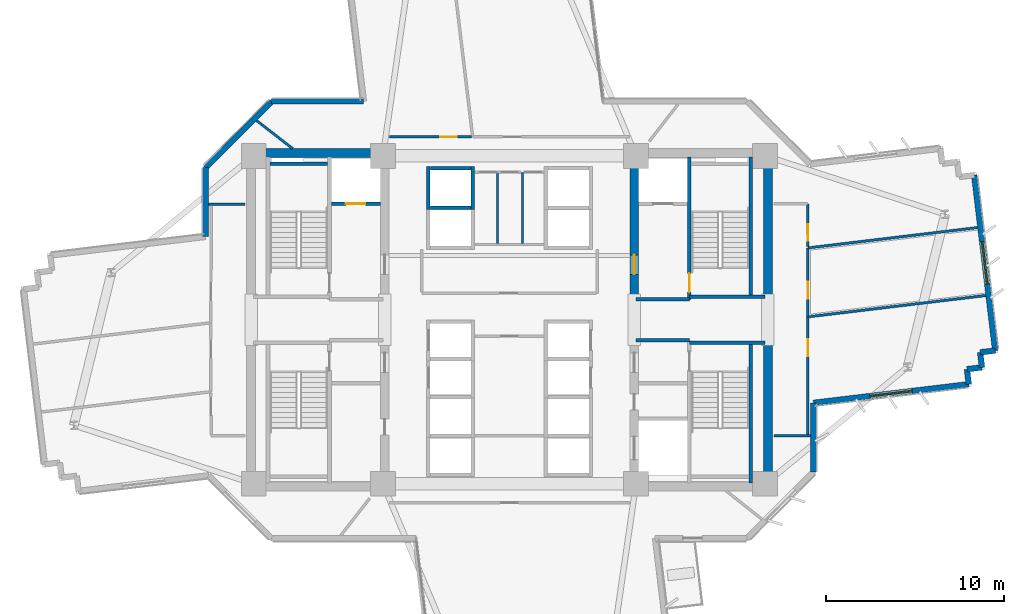
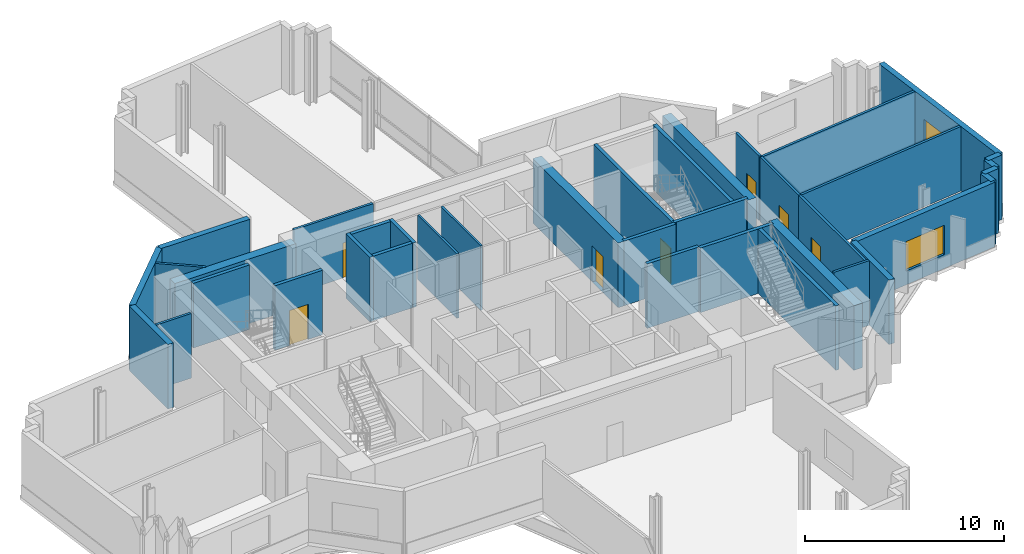
# One storey, part 8 of 15: 38 walls, 7 doors, 2 windows, 9 openings.
"""IFC4 building model written with IfcOpenShell, lengths in metres."""

import ifcopenshell
import ifcopenshell.guid

model = None  # the IFC model being written
_history = None  # IfcOwnerHistory: only IFC2X3 demands one
_inside = {}  # id of a spatial element -> (the spatial element, [elements in it])
_under = {}  # id of a project, library or spatial element -> (it, [spatial elements below it])
_declared = {}  # id of a project -> (the project, [libraries it declares])
_typed = {}  # id of a type object -> (the type object, [elements of that type])
_made_of = {}  # id of a material, layer set ... -> (it, [elements and type objects made of it])


def new_model(schema):
    """Start an empty IFC model of exactly this schema.

    Asked for "IFC4X3", IfcOpenShell would pick the latest addendum, in which some entities
    have other attributes; the version numbers below select the first issue.
    IFC2X3 requires an IfcOwnerHistory on every rooted entity: one is made here for all.
    """
    global model, _history
    if schema == "IFC4X3":
        model = ifcopenshell.file(schema_version=(4, 3, 0, 0))
    else:
        model = ifcopenshell.file(schema=schema)
    _inside.clear()
    _under.clear()
    _declared.clear()
    _typed.clear()
    _made_of.clear()
    _history = None
    if model.schema == "IFC2X3":
        org = make("IfcOrganization", Name="unknown")
        user = make(
            "IfcPersonAndOrganization",
            ThePerson=make("IfcPerson", FamilyName="unknown"),
            TheOrganization=org,
        )
        app = make(
            "IfcApplication",
            ApplicationDeveloper=org,
            Version="unknown",
            ApplicationFullName="unknown",
            ApplicationIdentifier="unknown",
        )
        _history = make(
            "IfcOwnerHistory",
            OwningUser=user,
            OwningApplication=app,
            ChangeAction="ADDED",
            CreationDate=0,
        )
    return model


def make(cls, **values):
    """One entity of the class cls with the attributes given. An attribute that is None is left unset."""
    return model.create_entity(
        cls, **{name: value for name, value in values.items() if value is not None}
    )


def rooted(cls, **values):
    """An entity with a GlobalId (a new one), such as an element, a storey or a relation."""
    return make(cls, GlobalId=ifcopenshell.guid.new(), OwnerHistory=_history, **values)


def si_unit(unit_type, name, prefix=None):
    """IfcSIUnit, for example si_unit("LENGTHUNIT", "METRE", prefix="MILLI")."""
    return make("IfcSIUnit", UnitType=unit_type, Prefix=prefix, Name=name)


def assignment(units):
    """IfcUnitAssignment: the units of a project."""
    return None if units is None else make("IfcUnitAssignment", Units=units)


def point(xyz):
    """IfcCartesianPoint."""
    return None if xyz is None else make("IfcCartesianPoint", Coordinates=xyz)


def direction(xyz):
    """IfcDirection."""
    return None if xyz is None else make("IfcDirection", DirectionRatios=xyz)


def frame(location, z_axis=None, x_axis=None):
    """IfcAxis2Placement3D, a coordinate frame: its origin and axes. An axis left out is left unset."""
    return make(
        "IfcAxis2Placement3D",
        Location=point(location),
        Axis=direction(z_axis),
        RefDirection=direction(x_axis),
    )


def frame_2d(location, x_axis=None):
    """IfcAxis2Placement2D, a coordinate frame in the plane: its origin and x axis."""
    return make(
        "IfcAxis2Placement2D", Location=point(location), RefDirection=direction(x_axis)
    )


def origin():
    """The frame at (0, 0, 0) with its axes left unset."""
    return frame((0.0, 0.0, 0.0))


def place(relative_to, where):
    """IfcLocalPlacement: puts the frame where relative to a parent placement (None: the world)."""
    return make(
        "IfcLocalPlacement", PlacementRelTo=relative_to, RelativePlacement=where
    )


def context(
    kind, dimensions, precision=None, world=None, true_north=None, identifier=None
):
    """IfcGeometricRepresentationContext, for example the 3D "Model" context."""
    return make(
        "IfcGeometricRepresentationContext",
        ContextIdentifier=identifier,
        ContextType=kind,
        CoordinateSpaceDimension=dimensions,
        Precision=precision,
        WorldCoordinateSystem=world,
        TrueNorth=true_north,
    )


def subcontext(parent, identifier, kind, view, scale=None):
    """IfcGeometricRepresentationSubContext, for example "Body" below "Model"."""
    return make(
        "IfcGeometricRepresentationSubContext",
        ContextIdentifier=identifier,
        ContextType=kind,
        ParentContext=parent,
        TargetScale=scale,
        TargetView=view,
    )


def project(units=None, contexts=None):
    """IfcProject with its units and contexts."""
    return rooted(
        "IfcProject",
        Name="project",
        RepresentationContexts=contexts,
        UnitsInContext=assignment(units),
    )


def spatial(cls, under=None, at=None, **own):
    """A site, building, storey or space (cls), placed at a placement, below another one or the project."""
    s = rooted(cls, ObjectPlacement=at, **own)
    if under is not None:
        _under.setdefault(under.id(), (under, []))[1].append(s)
    return s


def profile(cls, at=None, kind="AREA", **sizes):
    """A parametric profile (cls). Its sizes go by their IFC names, for example OverallWidth=200.0."""
    return make(cls, ProfileType=kind, Position=at, **sizes)


def rectangle(**sizes):
    """IfcRectangleProfileDef."""
    return profile("IfcRectangleProfileDef", **sizes)


def extrude(swept, where, along, depth):
    """IfcExtrudedAreaSolid: the profile swept, set in the frame where, extruded along a direction by depth."""
    return make(
        "IfcExtrudedAreaSolid",
        SweptArea=swept,
        Position=where,
        ExtrudedDirection=direction(along),
        Depth=depth,
    )


def shape(context_of_items, identifier, shape_type, items):
    """IfcShapeRepresentation: the items that make up one representation, for example the "Body"."""
    return make(
        "IfcShapeRepresentation",
        ContextOfItems=context_of_items,
        RepresentationIdentifier=identifier,
        RepresentationType=shape_type,
        Items=items,
    )


def source(mapping_origin, context_of_items, identifier, shape_type, items):
    """IfcRepresentationMap: a shape defined once, which mapped items show again and again."""
    return make(
        "IfcRepresentationMap",
        MappingOrigin=mapping_origin,
        MappedRepresentation=shape(context_of_items, identifier, shape_type, items),
    )


def transform(
    local_origin,
    x_axis=None,
    y_axis=None,
    z_axis=None,
    scale=None,
    scale2=None,
    scale3=None,
    uniform=True,
):
    """IfcCartesianTransformationOperator3D, or its non-uniform kind. x_axis, y_axis, z_axis: its Axis1, 2, 3."""
    if uniform:
        return make(
            "IfcCartesianTransformationOperator3D",
            Axis1=direction(x_axis),
            Axis2=direction(y_axis),
            LocalOrigin=point(local_origin),
            Scale=scale,
            Axis3=direction(z_axis),
        )
    return make(
        "IfcCartesianTransformationOperator3DnonUniform",
        Axis1=direction(x_axis),
        Axis2=direction(y_axis),
        LocalOrigin=point(local_origin),
        Scale=scale,
        Axis3=direction(z_axis),
        Scale2=scale2,
        Scale3=scale3,
    )


def mapped(mapping_source, mapping_target):
    """IfcMappedItem: shows the shape of a source again, moved by a transform."""
    return make(
        "IfcMappedItem", MappingSource=mapping_source, MappingTarget=mapping_target
    )


def material(Name=None, Category=None):
    """IfcMaterial."""
    return make("IfcMaterial", Name=Name, Category=Category)


def layer(
    of_material, thickness, ventilated=None, Name=None, Category=None, Priority=None
):
    """IfcMaterialLayer: one layer of a wall or slab, of a material (None: an air gap)."""
    return make(
        "IfcMaterialLayer",
        Material=of_material,
        LayerThickness=thickness,
        IsVentilated=ventilated,
        Name=Name,
        Category=Category,
        Priority=Priority,
    )


def layer_set(layers, Name=None):
    """IfcMaterialLayerSet."""
    return make("IfcMaterialLayerSet", MaterialLayers=layers, LayerSetName=Name)


def made_of(thing, what):
    """Note that an element or type object is made of a material, layer set ...; save() writes the relation."""
    if what is not None:
        _made_of.setdefault(what.id(), (what, []))[1].append(thing)
    return thing


def type_object(cls, material=None, **own):
    """A type object (cls), such as IfcWallType, which elements share."""
    return made_of(rooted(cls, **own), material)


def element(
    cls,
    number,
    at=None,
    inside=None,
    cuts=None,
    type_object=None,
    material=None,
    context=None,
    identifier="Body",
    shape_type=None,
    held_by="IfcProductDefinitionShape",
    body=None,
    shapes=None,
    **own,
):
    """One element of the class cls, such as IfcWall. Its Tag is "e" and its number.

    at: its placement. inside: the storey or other place that contains it. cuts: it is an
    opening in that element (IfcRelVoidsElement). A single representation is given by context,
    identifier, shape_type and body (its items); several are given by shapes. held_by: the class
    of the entity that holds the representations. save() writes the other relations.
    """
    e = rooted(cls, Tag="e%d" % number, ObjectPlacement=at, **own)
    if body is not None:
        shapes = [shape(context, identifier, shape_type, body)]
    if shapes is not None:
        e.Representation = make(held_by, Representations=shapes)
    if inside is not None:
        _inside.setdefault(inside.id(), (inside, []))[1].append(e)
    if cuts is not None:
        rooted(
            "IfcRelVoidsElement", RelatingBuildingElement=cuts, RelatedOpeningElement=e
        )
    if type_object is not None:
        _typed.setdefault(type_object.id(), (type_object, []))[1].append(e)
    return made_of(e, material)


def fill(opening, filler):
    """IfcRelFillsElement: the door or window that sits in an opening."""
    return rooted(
        "IfcRelFillsElement",
        RelatingOpeningElement=opening,
        RelatedBuildingElement=filler,
    )


def aggregate(whole, parts):
    """IfcRelAggregates: a whole, such as a stair, and the parts it consists of."""
    return rooted("IfcRelAggregates", RelatingObject=whole, RelatedObjects=parts)


def save(model, path):
    """Write the relations noted so far, then the file.

    IfcRelAggregates (storeys below a building ...), IfcRelContainedInSpatialStructure (elements
    in a storey), IfcRelDefinesByType, IfcRelAssociatesMaterial and IfcRelDeclares: one each for
    every whole, place, type object, material and project.
    """
    for whole, parts in _under.values():
        aggregate(whole, parts)
    for where, things in _inside.values():
        rooted(
            "IfcRelContainedInSpatialStructure",
            RelatedElements=things,
            RelatingStructure=where,
        )
    for kind, things in _typed.values():
        rooted("IfcRelDefinesByType", RelatedObjects=things, RelatingType=kind)
    for what, things in _made_of.values():
        rooted("IfcRelAssociatesMaterial", RelatedObjects=things, RelatingMaterial=what)
    for by, libraries in _declared.values():
        rooted("IfcRelDeclares", RelatingContext=by, RelatedDefinitions=libraries)
    model.write(path)


model = new_model("IFC4")

# Units and contexts
model_context = context("Model", 3, precision=1e-05, world=origin(), true_north=direction((0.0, 1.0)))
body_context = subcontext(model_context, "Body", "Model", "MODEL_VIEW")
ifc_project = project(units=[si_unit("LENGTHUNIT", "METRE"), si_unit("AREAUNIT", "SQUARE_METRE"), si_unit("VOLUMEUNIT", "CUBIC_METRE"), si_unit("PLANEANGLEUNIT", "RADIAN"), si_unit("MASSUNIT", "GRAM", prefix="KILO")], contexts=[model_context])

# Site, building, storey
site_placement = place(None, origin())
site = spatial("IfcSite", under=ifc_project, at=site_placement, CompositionType="ELEMENT")
building_placement = place(site_placement, origin())
building = spatial("IfcBuilding", under=site, at=building_placement, Name="Zahravan Cultural Tower", CompositionType="ELEMENT")
storey_placement = place(building_placement, frame((0.0, 0.0, 113.10009765625)))
storey = spatial("IfcBuildingStorey", under=building, at=storey_placement, Name="L25", CompositionType="ELEMENT", Elevation=113.10009765625)

# Wall, opening, door
ifc_material_1 = material(Name="Concrete C60/75", Category="concrete")
ifc_layer_1 = layer(ifc_material_1, 0.5)
ifc_layer_set_1 = layer_set([ifc_layer_1], Name="Concrete C60/75")
wall_type_1 = type_object("IfcWallType", Name="CW-SHEAR-500-C60", PredefinedType="SHEAR", material=ifc_layer_set_1)
wall_1_placement = place(storey_placement, frame((43.0, 28.050048828125, 0.0), z_axis=(0.0, 0.0, 1.0), x_axis=(0.0, 1.0, 0.0)))
wall_1 = element("IfcWall", 1, at=wall_1_placement, inside=storey, type_object=wall_type_1, Name="L25 Core Shear Wall CW-E-WN-L25", PredefinedType="SHEAR", context=body_context, shape_type="SweptSolid", body=[
    extrude(rectangle(XDim=8.550048828125, YDim=0.5, at=frame_2d((4.27490234375, 0.0))), origin(), (0.0, 0.0, 1.0), 3.949951171875),
])
opening_1_placement = place(wall_1_placement, frame((1.5, 0.0, 0.0)))
opening_1 = element("IfcOpeningElement", 2, at=opening_1_placement, cuts=wall_1, Name="Opening D-L25-06", PredefinedType="OPENING", context=body_context, shape_type="SweptSolid", body=[
    extrude(rectangle(XDim=1.10009765625, YDim=2.199951171875, at=frame_2d((0.550048828125, 1.10009765625))), frame((0.0, 0.260009765625, 0.0), z_axis=(0.0, -1.0, 0.0), x_axis=(1.0, 0.0, 0.0)), (0.0, 0.0, 1.0), 0.52001953125),
])
ifc_material_2 = material(Name="Steel ASTM A572 Grade 50", Category="steel")
door_type_1 = type_object("IfcDoorType", Name="DR-LOBBY-1100", OperationType="NOTDEFINED", PredefinedType="DOOR", material=ifc_material_2)
shared_shape_1 = source(origin(), body_context, "Body", "SweptSolid", [
    extrude(rectangle(XDim=1.10009765625, YDim=2.199951171875, at=frame_2d((0.550048828125, 1.10009765625))), frame((0.0, 0.02490234375, 0.0), z_axis=(0.0, -1.0, 0.0), x_axis=(1.0, 0.0, 0.0)), (0.0, 0.0, 1.0), 0.050048828125),
])
door_1_placement = place(opening_1_placement, origin())
door_1 = element("IfcDoor", 3, at=door_1_placement, inside=storey, type_object=door_type_1, Name="L25 Door D-L25-06", OperationType="SINGLE_SWING_LEFT", OverallHeight=2.199951171875, OverallWidth=1.10009765625, PredefinedType="DOOR", context=body_context, shape_type="MappedRepresentation", body=[
    mapped(shared_shape_1, transform((0.0, 0.0, 0.0), x_axis=(1.0, 0.0, 0.0), y_axis=(0.0, 1.0, 0.0), z_axis=(0.0, 0.0, 1.0), scale=1.0)),
])
fill(opening_1, door_1)

# Wall, opening, window
ifc_material_3 = material(Name="Precast concrete C40/50", Category="concrete")
ifc_layer_2 = layer(ifc_material_3, 0.320068359375)
ifc_layer_set_2 = layer_set([ifc_layer_2], Name="Precast concrete C40/50")
wall_type_2 = type_object("IfcWallType", Name="EW-TC-320", PredefinedType="SOLIDWALL", material=ifc_layer_set_2)
wall_2_placement = place(storey_placement, frame((62.078125, 35.12353515625, 0.0), z_axis=(0.0, 0.0, 1.0), x_axis=(0.119092815244, -0.992883125729, 0.0)))
wall_2 = element("IfcWall", 4, at=wall_2_placement, inside=storey, type_object=wall_type_2, Name="L25 Exterior Masonry Frame Wall 06", PredefinedType="SOLIDWALL", context=body_context, shape_type="SweptSolid", body=[
    extrude(rectangle(XDim=9.919921875, YDim=0.320068359375, at=frame_2d((4.9599609375, 0.0))), origin(), (0.0, 0.0, 1.0), 3.949951171875),
])
opening_2_placement = place(wall_2_placement, frame((3.760009765625, 0.0, 0.85009765625)))
opening_2 = element("IfcOpeningElement", 5, at=opening_2_placement, cuts=wall_2, Name="Opening WN-01", PredefinedType="OPENING", context=body_context, shape_type="SweptSolid", body=[
    extrude(rectangle(XDim=2.39990234375, YDim=1.800048828125, at=frame_2d((1.199951171875, 0.89990234375))), frame((0.0, 0.169921875, 0.0), z_axis=(0.0, -1.0, 0.0), x_axis=(1.0, 0.0, 0.0)), (0.0, 0.0, 1.0), 0.340087890625),
])
ifc_material_4 = material(Name="Low-E solar-control double glazing", Category="glass")
window_type = type_object("IfcWindowType", Name="WN-REC-2400X1800", PartitioningType="DOUBLE_PANEL_VERTICAL", PredefinedType="WINDOW", material=ifc_material_4)
shared_shape_2 = source(origin(), body_context, "Body", "SweptSolid", [
    extrude(rectangle(XDim=2.39990234375, YDim=1.800048828125, at=frame_2d((1.199951171875, 0.89990234375))), frame((0.0, 0.030029296875, 0.0), z_axis=(0.0, -1.0, 0.0), x_axis=(1.0, 0.0, 0.0)), (0.0, 0.0, 1.0), 0.06005859375),
])
window_1_placement = place(opening_2_placement, origin())
window_1 = element("IfcWindow", 6, at=window_1_placement, inside=storey, type_object=window_type, Name="L25 Recessed Solar Window 02", OverallHeight=1.800048828125, OverallWidth=2.39990234375, PartitioningType="DOUBLE_PANEL_VERTICAL", PredefinedType="WINDOW", context=body_context, shape_type="MappedRepresentation", body=[
    mapped(shared_shape_2, transform((0.0, 0.0, 0.0), x_axis=(1.0, 0.0, 0.0), y_axis=(0.0, 1.0, 0.0), z_axis=(0.0, 0.0, 1.0), scale=1.0)),
])
fill(opening_2, window_1)

wall_3_placement = place(storey_placement, frame((61.774169921875, 23.3837890625, 0.0), z_axis=(0.0, 0.0, 1.0), x_axis=(-0.992883944618, -0.119085987922, 0.0)))
wall_3 = element("IfcWall", 7, at=wall_3_placement, inside=storey, type_object=wall_type_2, Name="L25 Exterior Masonry Frame Wall 11", PredefinedType="SOLIDWALL", context=body_context, shape_type="SweptSolid", body=[
    extrude(rectangle(XDim=8.776611328125, YDim=0.320068359375, at=frame_2d((4.38818359375, 0.0))), origin(), (0.0, 0.0, 1.0), 3.949951171875),
])
opening_3_placement = place(wall_3_placement, frame((3.18798828125, 0.0, 0.85009765625)))
opening_3 = element("IfcOpeningElement", 8, at=opening_3_placement, cuts=wall_3, Name="Opening WN-01", PredefinedType="OPENING", context=body_context, shape_type="SweptSolid", body=[
    extrude(rectangle(XDim=2.39990234375, YDim=1.800048828125, at=frame_2d((1.199951171875, 0.89990234375))), frame((0.0, 0.169921875, 0.0), z_axis=(0.0, -1.0, 0.0), x_axis=(1.0, 0.0, 0.0)), (0.0, 0.0, 1.0), 0.340087890625),
])
window_2_placement = place(opening_3_placement, origin())
window_2 = element("IfcWindow", 9, at=window_2_placement, inside=storey, type_object=window_type, Name="L25 Recessed Solar Window 03", OverallHeight=1.800048828125, OverallWidth=2.39990234375, PartitioningType="DOUBLE_PANEL_VERTICAL", PredefinedType="WINDOW", context=body_context, shape_type="MappedRepresentation", body=[
    mapped(shared_shape_2, transform((0.0, 0.0, 0.0), x_axis=(1.0, 0.0, 0.0), y_axis=(0.0, 1.0, 0.0), z_axis=(0.0, 0.0, 1.0), scale=1.0)),
])
fill(opening_3, window_2)

# Wall, opening, door
ifc_material_5 = material(Name="Gypsum plasterboard partition")
ifc_layer_3 = layer(ifc_material_5, 0.139892578125)
ifc_layer_set_3 = layer_set([ifc_layer_3], Name="Gypsum plasterboard partition")
wall_type_3 = type_object("IfcWallType", Name="W-PART-140", PredefinedType="PARTITIONING", material=ifc_layer_set_3)
wall_4_placement = place(storey_placement, frame((52.75, 27.166015625, 0.0), z_axis=(0.0, 0.0, 1.0), x_axis=(0.0, 1.0, 0.0)))
wall_4 = element("IfcWall", 10, at=wall_4_placement, inside=storey, type_object=wall_type_3, Name="L25 Interior Wall 079", PredefinedType="PARTITIONING", context=body_context, shape_type="SweptSolid", body=[
    extrude(rectangle(XDim=3.86767578125, YDim=0.139892578125, at=frame_2d((1.933837890625, 0.0))), origin(), (0.0, 0.0, 1.0), 3.949951171875),
])
opening_4_placement = place(wall_4_placement, frame((1.02099609375, 0.0, 0.0)))
opening_4 = element("IfcOpeningElement", 11, at=opening_4_placement, cuts=wall_4, Name="Opening D-L25-17", PredefinedType="OPENING", context=body_context, shape_type="SweptSolid", body=[
    extrude(rectangle(XDim=0.949951171875, YDim=2.14990234375, at=frame_2d((0.47509765625, 1.074951171875))), frame((0.0, 0.079833984375, 0.0), z_axis=(0.0, -1.0, 0.0), x_axis=(1.0, 0.0, 0.0)), (0.0, 0.0, 1.0), 0.159912109375),
])
ifc_material_6 = material(Name="Anodised bronze-aluminium mullion", Category="aluminium")
door_type_2 = type_object("IfcDoorType", Name="DR-ROOM-950", OperationType="NOTDEFINED", PredefinedType="DOOR", material=ifc_material_6)
shared_shape_3 = source(origin(), body_context, "Body", "SweptSolid", [
    extrude(rectangle(XDim=0.949951171875, YDim=2.14990234375, at=frame_2d((0.47509765625, 1.074951171875))), frame((0.0, 0.02490234375, 0.0), z_axis=(0.0, -1.0, 0.0), x_axis=(1.0, 0.0, 0.0)), (0.0, 0.0, 1.0), 0.050048828125),
])
door_2_placement = place(opening_4_placement, origin())
door_2 = element("IfcDoor", 12, at=door_2_placement, inside=storey, type_object=door_type_2, Name="L25 Door D-L25-17", OperationType="SINGLE_SWING_RIGHT", OverallHeight=2.14990234375, OverallWidth=0.949951171875, PredefinedType="DOOR", context=body_context, shape_type="MappedRepresentation", body=[
    mapped(shared_shape_3, transform((0.0, 0.0, 0.0), x_axis=(1.0, 0.0, 0.0), y_axis=(0.0, 1.0, 0.0), z_axis=(0.0, 0.0, 1.0), scale=1.0)),
])
fill(opening_4, door_2)

wall_5_placement = place(storey_placement, frame((52.75, 20.5751953125, 0.0), z_axis=(0.0, 0.0, 1.0), x_axis=(0.0, 1.0, 0.0)))
wall_5 = element("IfcWall", 13, at=wall_5_placement, inside=storey, type_object=wall_type_3, Name="L25 Interior Wall 089", PredefinedType="PARTITIONING", context=body_context, shape_type="SweptSolid", body=[
    extrude(rectangle(XDim=6.57080078125, YDim=0.139892578125, at=frame_2d((3.285400390625, 0.0))), origin(), (0.0, 0.0, 1.0), 3.949951171875),
])
opening_5_placement = place(wall_5_placement, frame((4.384033203125, 0.0, 0.0)))
opening_5 = element("IfcOpeningElement", 14, at=opening_5_placement, cuts=wall_5, Name="Opening D-L25-16", PredefinedType="OPENING", context=body_context, shape_type="SweptSolid", body=[
    extrude(rectangle(XDim=0.949951171875, YDim=2.14990234375, at=frame_2d((0.47509765625, 1.074951171875))), frame((0.0, 0.079833984375, 0.0), z_axis=(0.0, -1.0, 0.0), x_axis=(1.0, 0.0, 0.0)), (0.0, 0.0, 1.0), 0.159912109375),
])
door_3_placement = place(opening_5_placement, origin())
door_3 = element("IfcDoor", 15, at=door_3_placement, inside=storey, type_object=door_type_2, Name="L25 Door D-L25-16", OperationType="SINGLE_SWING_LEFT", OverallHeight=2.14990234375, OverallWidth=0.949951171875, PredefinedType="DOOR", context=body_context, shape_type="MappedRepresentation", body=[
    mapped(shared_shape_3, transform((0.0, 0.0, 0.0), x_axis=(1.0, 0.0, 0.0), y_axis=(0.0, 1.0, 0.0), z_axis=(0.0, 0.0, 1.0), scale=1.0)),
])
fill(opening_5, door_3)

wall_6_placement = place(storey_placement, frame((52.75, 31.109130859375, 0.0), z_axis=(0.0, 0.0, 1.0), x_axis=(-0.001430175266, 0.999998977299, 0.0)))
wall_6 = element("IfcWall", 16, at=wall_6_placement, inside=storey, type_object=wall_type_3, Name="L25 Interior Wall 092", PredefinedType="PARTITIONING", context=body_context, shape_type="SweptSolid", body=[
    extrude(rectangle(XDim=2.389892578125, YDim=0.139892578125, at=frame_2d((1.19482421875, 0.0))), origin(), (0.0, 0.0, 1.0), 3.949951171875),
])
opening_6_placement = place(wall_6_placement, frame((0.31689453125, 0.0, 0.0)))
opening_6 = element("IfcOpeningElement", 17, at=opening_6_placement, cuts=wall_6, Name="Opening D-L25-18", PredefinedType="OPENING", context=body_context, shape_type="SweptSolid", body=[
    extrude(rectangle(XDim=0.949951171875, YDim=2.14990234375, at=frame_2d((0.47509765625, 1.074951171875))), frame((0.0, 0.079833984375, 0.0), z_axis=(0.0, -1.0, 0.0), x_axis=(1.0, 0.0, 0.0)), (0.0, 0.0, 1.0), 0.159912109375),
])
door_4_placement = place(opening_6_placement, origin())
door_4 = element("IfcDoor", 18, at=door_4_placement, inside=storey, type_object=door_type_2, Name="L25 Door D-L25-18", OperationType="SINGLE_SWING_LEFT", OverallHeight=2.14990234375, OverallWidth=0.949951171875, PredefinedType="DOOR", context=body_context, shape_type="MappedRepresentation", body=[
    mapped(shared_shape_3, transform((0.0, 0.0, 0.0), x_axis=(1.0, 0.0, 0.0), y_axis=(0.0, 1.0, 0.0), z_axis=(0.0, 0.0, 1.0), scale=1.0)),
])
fill(opening_6, door_4)

wall_7_placement = place(storey_placement, frame((33.85791015625, 37.260009765625, 0.0), z_axis=(0.0, 0.0, 1.0), x_axis=(-0.999999998592, -5.3070106e-05, 0.0)))
wall_7 = element("IfcWall", 19, at=wall_7_placement, inside=storey, type_object=wall_type_3, Name="L25 Interior Wall 098", PredefinedType="PARTITIONING", context=body_context, shape_type="SweptSolid", body=[
    extrude(rectangle(XDim=4.600341796875, YDim=0.139892578125, at=frame_2d((2.30029296875, 0.0))), origin(), (0.0, 0.0, 1.0), 3.949951171875),
])
opening_7_placement = place(wall_7_placement, frame((0.802978515625, 0.0, 0.0)))
opening_7 = element("IfcOpeningElement", 20, at=opening_7_placement, cuts=wall_7, Name="Opening D-L25-20", PredefinedType="OPENING", context=body_context, shape_type="SweptSolid", body=[
    extrude(rectangle(XDim=0.949951171875, YDim=2.14990234375, at=frame_2d((0.47509765625, 1.074951171875))), frame((0.0, 0.079833984375, 0.0), z_axis=(0.0, -1.0, 0.0), x_axis=(1.0, 0.0, 0.0)), (0.0, 0.0, 1.0), 0.159912109375),
])
door_5_placement = place(opening_7_placement, origin())
door_5 = element("IfcDoor", 21, at=door_5_placement, inside=storey, type_object=door_type_2, Name="L25 Door D-L25-20", OperationType="SINGLE_SWING_LEFT", OverallHeight=2.14990234375, OverallWidth=0.949951171875, PredefinedType="DOOR", context=body_context, shape_type="MappedRepresentation", body=[
    mapped(shared_shape_3, transform((0.0, 0.0, 0.0), x_axis=(1.0, 0.0, 0.0), y_axis=(0.0, 1.0, 0.0), z_axis=(0.0, 0.0, 1.0), scale=1.0)),
])
fill(opening_7, door_5)

ifc_material_7 = material(Name="Concrete C45/55", Category="concrete")
ifc_layer_4 = layer(ifc_material_7, 0.199951171875)
ifc_layer_set_4 = layer_set([ifc_layer_4], Name="Concrete C45/55")
wall_type_4 = type_object("IfcWallType", Name="W-SHAFT-200", PredefinedType="SOLIDWALL", material=ifc_layer_set_4)
wall_8_placement = place(storey_placement, frame((46.10009765625, 28.14990234375, 0.0), z_axis=(0.0, 0.0, 1.0), x_axis=(0.0, 1.0, 0.0)))
wall_8 = element("IfcWall", 22, at=wall_8_placement, inside=storey, type_object=wall_type_4, Name="L25 Interior Wall 008", PredefinedType="SOLIDWALL", context=body_context, shape_type="SweptSolid", body=[
    extrude(rectangle(XDim=8.0, YDim=0.199951171875, at=frame_2d((4.0, 0.0))), origin(), (0.0, 0.0, 1.0), 3.949951171875),
])
opening_8_placement = place(wall_8_placement, frame((0.39990234375, 0.0, 0.0)))
opening_8 = element("IfcOpeningElement", 23, at=opening_8_placement, cuts=wall_8, Name="Opening D-L25-02", PredefinedType="OPENING", context=body_context, shape_type="SweptSolid", body=[
    extrude(rectangle(XDim=1.050048828125, YDim=2.14990234375, at=frame_2d((0.52490234375, 1.074951171875))), frame((0.0, 0.10986328125, 0.0), z_axis=(0.0, -1.0, 0.0), x_axis=(1.0, 0.0, 0.0)), (0.0, 0.0, 1.0), 0.219970703125),
])
door_type_3 = type_object("IfcDoorType", Name="DR-STAIR-1050", OperationType="NOTDEFINED", PredefinedType="DOOR", material=ifc_material_2)
shared_shape_4 = source(origin(), body_context, "Body", "SweptSolid", [
    extrude(rectangle(XDim=1.050048828125, YDim=2.14990234375, at=frame_2d((0.52490234375, 1.074951171875))), frame((0.0, 0.02490234375, 0.0), z_axis=(0.0, -1.0, 0.0), x_axis=(1.0, 0.0, 0.0)), (0.0, 0.0, 1.0), 0.050048828125),
])
door_6_placement = place(opening_8_placement, origin())
door_6 = element("IfcDoor", 24, at=door_6_placement, inside=storey, type_object=door_type_3, Name="L25 Door D-L25-02", OperationType="SINGLE_SWING_LEFT", OverallHeight=2.14990234375, OverallWidth=1.050048828125, PredefinedType="DOOR", context=body_context, shape_type="MappedRepresentation", body=[
    mapped(shared_shape_4, transform((0.0, 0.0, 0.0), x_axis=(1.0, 0.0, 0.0), y_axis=(0.0, 1.0, 0.0), z_axis=(0.0, 0.0, 1.0), scale=1.0)),
])
fill(opening_8, door_6)

wall_9_placement = place(storey_placement, frame((26.0, 33.52001953125, 0.0), z_axis=(0.0, 0.0, 1.0), x_axis=(1.0, 0.0, 0.0)))
wall_9 = element("IfcWall", 25, at=wall_9_placement, inside=storey, type_object=wall_type_4, Name="L25 Interior Wall 021", PredefinedType="SOLIDWALL", context=body_context, shape_type="SweptSolid", body=[
    extrude(rectangle(XDim=2.75, YDim=0.199951171875, at=frame_2d((1.375, 0.0))), origin(), (0.0, 0.0, 1.0), 3.949951171875),
])
opening_9_placement = place(wall_9_placement, frame((0.820068359375, 0.0, 0.0)))
opening_9 = element("IfcOpeningElement", 26, at=opening_9_placement, cuts=wall_9, Name="Opening LD-L25-01", PredefinedType="OPENING", context=body_context, shape_type="SweptSolid", body=[
    extrude(rectangle(XDim=1.10009765625, YDim=2.14990234375, at=frame_2d((0.550048828125, 1.074951171875))), frame((0.0, 0.10986328125, 0.0), z_axis=(0.0, -1.0, 0.0), x_axis=(1.0, 0.0, 0.0)), (0.0, 0.0, 1.0), 0.219970703125),
])
door_type_4 = type_object("IfcDoorType", Name="DR-LIFT-1100", OperationType="DOUBLE_DOOR_SLIDING", PredefinedType="DOOR", material=ifc_material_2)
shared_shape_5 = source(origin(), body_context, "Body", "SweptSolid", [
    extrude(rectangle(XDim=1.10009765625, YDim=2.14990234375, at=frame_2d((0.550048828125, 1.074951171875))), frame((0.0, 0.02490234375, 0.0), z_axis=(0.0, -1.0, 0.0), x_axis=(1.0, 0.0, 0.0)), (0.0, 0.0, 1.0), 0.050048828125),
])
door_7_placement = place(opening_9_placement, origin())
door_7 = element("IfcDoor", 27, at=door_7_placement, inside=storey, type_object=door_type_4, Name="L25 Door LD-L25-01", OperationType="DOUBLE_DOOR_SLIDING", OverallHeight=2.14990234375, OverallWidth=1.10009765625, PredefinedType="DOOR", context=body_context, shape_type="MappedRepresentation", body=[
    mapped(shared_shape_5, transform((0.0, 0.0, 0.0), x_axis=(1.0, 0.0, 0.0), y_axis=(0.0, 1.0, 0.0), z_axis=(0.0, 0.0, 1.0), scale=1.0)),
])
fill(opening_9, door_7)

# Walls
shared_shape_6 = source(origin(), body_context, "Body", "SweptSolid", [
    extrude(rectangle(XDim=8.550048828125, YDim=0.5, at=frame_2d((4.27490234375, 0.0))), origin(), (0.0, 0.0, 1.0), 3.949951171875),
])
for number, where, z_axis, x_axis, name in (
    (28, (50.5, 17.39990234375, 0.0), (0.0, 0.0, 1.0), (0.0, 1.0, 0.0), "L25 Core Shear Wall CW-E-ES-L25"),
    (29, (50.5, 28.050048828125, 0.0), (0.0, 0.0, 1.0), (0.0, 1.0, 0.0), "L25 Core Shear Wall CW-E-EN-L25"),
):
    element("IfcWall", number, at=place(storey_placement, frame(where, z_axis=z_axis, x_axis=x_axis)), inside=storey, type_object=wall_type_1, Name=name, PredefinedType="SHEAR", context=body_context, shape_type="MappedRepresentation", body=[
        mapped(shared_shape_6, transform((0.0, 0.0, 0.0), x_axis=(1.0, 0.0, 0.0), y_axis=(0.0, 1.0, 0.0), z_axis=(0.0, 0.0, 1.0), scale=1.0)),
    ])
shared_shape_7 = source(origin(), body_context, "Body", "SweptSolid", [
    extrude(rectangle(XDim=7.0, YDim=0.5, at=frame_2d((3.5, 0.0))), origin(), (0.0, 0.0, 1.0), 3.949951171875),
])
wall_10_placement = place(storey_placement, frame((21.75, 36.35009765625, 0.0), z_axis=(0.0, 0.0, 1.0), x_axis=(1.0, 0.0, 0.0)))
element("IfcWall", 30, at=wall_10_placement, inside=storey, type_object=wall_type_1, Name="L25 Core Shear Wall CW-W-N-L25", PredefinedType="SHEAR", context=body_context, shape_type="MappedRepresentation", body=[
    mapped(shared_shape_7, transform((0.0, 0.0, 0.0), x_axis=(1.0, 0.0, 0.0), y_axis=(0.0, 1.0, 0.0), z_axis=(0.0, 0.0, 1.0), scale=1.0)),
])
shared_shape_8 = source(origin(), body_context, "Body", "SweptSolid", [
    extrude(rectangle(XDim=0.85009765625, YDim=0.320068359375, at=frame_2d((0.425048828125, 0.0))), origin(), (0.0, 0.0, 1.0), 3.949951171875),
])
for number, where, z_axis, x_axis, name in (
    (31, (63.259521484375, 25.274169921875, 0.0), (0.0, 0.0, 1.0), (-0.992905350382, -0.118907380694, 0.0), "L25 Exterior Masonry Frame Wall 07"),
    (32, (62.41552734375, 25.173095703125, 0.0), (0.0, 0.0, 1.0), (0.119190521137, -0.992871401376, 0.0), "L25 Exterior Masonry Frame Wall 08"),
    (33, (62.516845703125, 24.3291015625, 0.0), (0.0, 0.0, 1.0), (-0.992871401376, -0.119190521137, 0.0), "L25 Exterior Masonry Frame Wall 09"),
    (34, (61.6728515625, 24.227783203125, 0.0), (0.0, 0.0, 1.0), (0.119190521137, -0.992871401376, 0.0), "L25 Exterior Masonry Frame Wall 10"),
):
    element("IfcWall", number, at=place(storey_placement, frame(where, z_axis=z_axis, x_axis=x_axis)), inside=storey, type_object=wall_type_2, Name=name, PredefinedType="SOLIDWALL", context=body_context, shape_type="MappedRepresentation", body=[
        mapped(shared_shape_8, transform((0.0, 0.0, 0.0), x_axis=(1.0, 0.0, 0.0), y_axis=(0.0, 1.0, 0.0), z_axis=(0.0, 0.0, 1.0), scale=1.0)),
    ])
shared_shape_9 = source(origin(), body_context, "Body", "SweptSolid", [
    extrude(rectangle(XDim=5.258056640625, YDim=0.320068359375, at=frame_2d((2.62890625, 0.0))), origin(), (0.0, 0.0, 1.0), 3.949951171875),
])
wall_11_placement = place(storey_placement, frame((18.93994140625, 35.5419921875, 0.0), z_axis=(0.0, 0.0, 1.0), x_axis=(0.707106781187, 0.707106781187, 0.0)))
element("IfcWall", 35, at=wall_11_placement, inside=storey, type_object=wall_type_2, Name="L25 Exterior Masonry Frame Wall 39", PredefinedType="SOLIDWALL", context=body_context, shape_type="MappedRepresentation", body=[
    mapped(shared_shape_9, transform((0.0, 0.0, 0.0), x_axis=(1.0, 0.0, 0.0), y_axis=(0.0, 1.0, 0.0), z_axis=(0.0, 0.0, 1.0), scale=1.0)),
])
shared_shape_10 = source(origin(), body_context, "Body", "SweptSolid", [
    extrude(rectangle(XDim=3.880615234375, YDim=0.320068359375, at=frame_2d((1.9404296875, 0.0))), origin(), (0.0, 0.0, 1.0), 3.949951171875),
])
for number, where, z_axis, x_axis, name in (
    (36, (53.06005859375, 22.338623046875, 0.0), (0.0, 0.0, 1.0), (0.0, -1.0, 0.0), "L25 Exterior Masonry Frame Wall 12"),
    (37, (18.93994140625, 31.661376953125, 0.0), (0.0, 0.0, 1.0), (0.0, 1.0, 0.0), "L25 Exterior Masonry Frame Wall 38"),
):
    element("IfcWall", number, at=place(storey_placement, frame(where, z_axis=z_axis, x_axis=x_axis)), inside=storey, type_object=wall_type_2, Name=name, PredefinedType="SOLIDWALL", context=body_context, shape_type="MappedRepresentation", body=[
        mapped(shared_shape_10, transform((0.0, 0.0, 0.0), x_axis=(1.0, 0.0, 0.0), y_axis=(0.0, 1.0, 0.0), z_axis=(0.0, 0.0, 1.0), scale=1.0)),
    ])
shared_shape_11 = source(origin(), body_context, "Body", "SweptSolid", [
    extrude(rectangle(XDim=5.16357421875, YDim=0.320068359375, at=frame_2d((2.581787109375, 0.0))), origin(), (0.0, 0.0, 1.0), 3.949951171875),
])
wall_12_placement = place(storey_placement, frame((22.657958984375, 39.260009765625, 0.0), z_axis=(0.0, 0.0, 1.0), x_axis=(1.0, 0.0, 0.0)))
element("IfcWall", 38, at=wall_12_placement, inside=storey, type_object=wall_type_2, Name="L25 Exterior Masonry Frame Wall 40", PredefinedType="SOLIDWALL", context=body_context, shape_type="MappedRepresentation", body=[
    mapped(shared_shape_11, transform((0.0, 0.0, 0.0), x_axis=(1.0, 0.0, 0.0), y_axis=(0.0, 1.0, 0.0), z_axis=(0.0, 0.0, 1.0), scale=1.0)),
])
shared_shape_12 = source(origin(), body_context, "Body", "SweptSolid", [
    extrude(rectangle(XDim=7.869873046875, YDim=0.199951171875, at=frame_2d((3.93505859375, 0.0))), origin(), (0.0, 0.0, 1.0), 3.949951171875),
])
for number, where, z_axis, x_axis, name in (
    (39, (49.550048828125, 17.85009765625, 0.0), (0.0, 0.0, 1.0), (0.0, 1.0, 0.0), "L25 Interior Wall 003"),
    (40, (49.550048828125, 28.280029296875, 0.0), (0.0, 0.0, 1.0), (0.0, 1.0, 0.0), "L25 Interior Wall 004"),
):
    element("IfcWall", number, at=place(storey_placement, frame(where, z_axis=z_axis, x_axis=x_axis)), inside=storey, type_object=wall_type_4, Name=name, PredefinedType="SOLIDWALL", context=body_context, shape_type="MappedRepresentation", body=[
        mapped(shared_shape_12, transform((0.0, 0.0, 0.0), x_axis=(1.0, 0.0, 0.0), y_axis=(0.0, 1.0, 0.0), z_axis=(0.0, 0.0, 1.0), scale=1.0)),
    ])
shared_shape_13 = source(origin(), body_context, "Body", "SweptSolid", [
    extrude(rectangle(XDim=4.25, YDim=0.199951171875, at=frame_2d((2.125, 0.0))), origin(), (0.0, 0.0, 1.0), 3.949951171875),
])
for number, where, z_axis, x_axis, name in (
    (41, (46.10009765625, 25.715087890625, 0.0), (0.0, 0.0, 1.0), (1.0, 0.0, 0.0), "L25 Interior Wall 014"),
    (42, (46.10009765625, 28.284912109375, 0.0), (0.0, 0.0, 1.0), (1.0, 0.0, 0.0), "L25 Interior Wall 016"),
):
    element("IfcWall", number, at=place(storey_placement, frame(where, z_axis=z_axis, x_axis=x_axis)), inside=storey, type_object=wall_type_4, Name=name, PredefinedType="SOLIDWALL", context=body_context, shape_type="MappedRepresentation", body=[
        mapped(shared_shape_13, transform((0.0, 0.0, 0.0), x_axis=(1.0, 0.0, 0.0), y_axis=(0.0, 1.0, 0.0), z_axis=(0.0, 0.0, 1.0), scale=1.0)),
    ])
shared_shape_14 = source(origin(), body_context, "Body", "SweptSolid", [
    extrude(rectangle(XDim=3.0, YDim=0.199951171875, at=frame_2d((1.5, 0.0))), origin(), (0.0, 0.0, 1.0), 3.949951171875),
])
for number, where, z_axis, x_axis, name in (
    (43, (43.10009765625, 25.85009765625, 0.0), (0.0, 0.0, 1.0), (1.0, 0.0, 0.0), "L25 Interior Wall 013"),
    (44, (43.10009765625, 28.14990234375, 0.0), (0.0, 0.0, 1.0), (1.0, 0.0, 0.0), "L25 Interior Wall 015"),
):
    element("IfcWall", number, at=place(storey_placement, frame(where, z_axis=z_axis, x_axis=x_axis)), inside=storey, type_object=wall_type_4, Name=name, PredefinedType="SOLIDWALL", context=body_context, shape_type="MappedRepresentation", body=[
        mapped(shared_shape_14, transform((0.0, 0.0, 0.0), x_axis=(1.0, 0.0, 0.0), y_axis=(0.0, 1.0, 0.0), z_axis=(0.0, 0.0, 1.0), scale=1.0)),
    ])
shared_shape_15 = source(origin(), body_context, "Body", "SweptSolid", [
    extrude(rectangle(XDim=3.25, YDim=0.199951171875, at=frame_2d((1.625, 0.0))), origin(), (0.0, 0.0, 1.0), 3.949951171875),
])
wall_13_placement = place(storey_placement, frame((22.550048828125, 35.75, 0.0), z_axis=(0.0, 0.0, 1.0), x_axis=(1.0, 0.0, 0.0)))
element("IfcWall", 45, at=wall_13_placement, inside=storey, type_object=wall_type_4, Name="L25 Interior Wall 017", PredefinedType="SOLIDWALL", context=body_context, shape_type="MappedRepresentation", body=[
    mapped(shared_shape_15, transform((0.0, 0.0, 0.0), x_axis=(1.0, 0.0, 0.0), y_axis=(0.0, 1.0, 0.0), z_axis=(0.0, 0.0, 1.0), scale=1.0)),
])
shared_shape_16 = source(origin(), body_context, "Body", "SweptSolid", [
    extrude(rectangle(XDim=2.400146484375, YDim=0.199951171875, at=frame_2d((1.2001953125, 0.0))), origin(), (0.0, 0.0, 1.0), 3.949951171875),
])
for number, where, z_axis, x_axis, name in (
    (46, (31.449951171875, 33.199951171875, 0.0), (0.0, 0.0, 1.0), (0.0, 1.0, 0.0), "L25 Interior Wall 026"),
    (47, (33.949951171875, 33.199951171875, 0.0), (0.0, 0.0, 1.0), (0.0, 1.0, 0.0), "L25 Interior Wall 027"),
):
    element("IfcWall", number, at=place(storey_placement, frame(where, z_axis=z_axis, x_axis=x_axis)), inside=storey, type_object=wall_type_4, Name=name, PredefinedType="SOLIDWALL", context=body_context, shape_type="MappedRepresentation", body=[
        mapped(shared_shape_16, transform((0.0, 0.0, 0.0), x_axis=(1.0, 0.0, 0.0), y_axis=(0.0, 1.0, 0.0), z_axis=(0.0, 0.0, 1.0), scale=1.0)),
    ])
shared_shape_17 = source(origin(), body_context, "Body", "SweptSolid", [
    extrude(rectangle(XDim=2.260009765625, YDim=0.199951171875, at=frame_2d((1.1298828125, 0.0))), origin(), (0.0, 0.0, 1.0), 3.949951171875),
])
for number, where, z_axis, x_axis, name in (
    (48, (31.570068359375, 33.300048828125, 0.0), (0.0, 0.0, 1.0), (1.0, 0.0, 0.0), "L25 Interior Wall 028"),
    (49, (31.570068359375, 35.5, 0.0), (0.0, 0.0, 1.0), (1.0, 0.0, 0.0), "L25 Interior Wall 029"),
):
    element("IfcWall", number, at=place(storey_placement, frame(where, z_axis=z_axis, x_axis=x_axis)), inside=storey, type_object=wall_type_4, Name=name, PredefinedType="SOLIDWALL", context=body_context, shape_type="MappedRepresentation", body=[
        mapped(shared_shape_17, transform((0.0, 0.0, 0.0), x_axis=(1.0, 0.0, 0.0), y_axis=(0.0, 1.0, 0.0), z_axis=(0.0, 0.0, 1.0), scale=1.0)),
    ])
ifc_layer_5 = layer(ifc_material_5, 0.114990234375)
ifc_layer_set_5 = layer_set([ifc_layer_5], Name="Gypsum plasterboard partition")
wall_type_5 = type_object("IfcWallType", Name="W-WC-115", PredefinedType="PARTITIONING", material=ifc_layer_set_5)
shared_shape_18 = source(origin(), body_context, "Body", "SweptSolid", [
    extrude(rectangle(XDim=3.99755859375, YDim=0.114990234375, at=frame_2d((1.998779296875, 0.0))), origin(), (0.0, 0.0, 1.0), 3.949951171875),
])
wall_14_placement = place(storey_placement, frame((36.719970703125, 31.282470703125, 0.0), z_axis=(0.0, 0.0, 1.0), x_axis=(0.0, 1.0, 0.0)))
element("IfcWall", 50, at=wall_14_placement, inside=storey, type_object=wall_type_5, Name="L25 Interior Wall 067", PredefinedType="PARTITIONING", context=body_context, shape_type="MappedRepresentation", body=[
    mapped(shared_shape_18, transform((0.0, 0.0, 0.0), x_axis=(1.0, 0.0, 0.0), y_axis=(0.0, 1.0, 0.0), z_axis=(0.0, 0.0, 1.0), scale=1.0)),
])
shared_shape_19 = source(origin(), body_context, "Body", "SweptSolid", [
    extrude(rectangle(XDim=3.93505859375, YDim=0.114990234375, at=frame_2d((1.967529296875, 0.0))), origin(), (0.0, 0.0, 1.0), 3.949951171875),
])
wall_15_placement = place(storey_placement, frame((35.340087890625, 35.217529296875, 0.0), z_axis=(0.0, 0.0, 1.0), x_axis=(0.0, -1.0, 0.0)))
element("IfcWall", 51, at=wall_15_placement, inside=storey, type_object=wall_type_5, Name="L25 Interior Wall 071", PredefinedType="PARTITIONING", context=body_context, shape_type="MappedRepresentation", body=[
    mapped(shared_shape_19, transform((0.0, 0.0, 0.0), x_axis=(1.0, 0.0, 0.0), y_axis=(0.0, 1.0, 0.0), z_axis=(0.0, 0.0, 1.0), scale=1.0)),
])
shared_shape_20 = source(origin(), body_context, "Body", "SweptSolid", [
    extrude(rectangle(XDim=2.04736328125, YDim=0.139892578125, at=frame_2d((1.023681640625, 0.0))), origin(), (0.0, 0.0, 1.0), 3.949951171875),
])
wall_16_placement = place(storey_placement, frame((50.8525390625, 20.50244140625, 0.0), z_axis=(0.0, 0.0, 1.0), x_axis=(0.999999289016, -0.001192462782, 0.0)))
element("IfcWall", 52, at=wall_16_placement, inside=storey, type_object=wall_type_3, Name="L25 Interior Wall 088", PredefinedType="PARTITIONING", context=body_context, shape_type="MappedRepresentation", body=[
    mapped(shared_shape_20, transform((0.0, 0.0, 0.0), x_axis=(1.0, 0.0, 0.0), y_axis=(0.0, 1.0, 0.0), z_axis=(0.0, 0.0, 1.0), scale=1.0)),
])
shared_shape_21 = source(origin(), body_context, "Body", "SweptSolid", [
    extrude(rectangle(XDim=2.04931640625, YDim=0.139892578125, at=frame_2d((1.024658203125, 0.0))), origin(), (0.0, 0.0, 1.0), 3.949951171875),
])
wall_17_placement = place(storey_placement, frame((21.1494140625, 33.49658203125, 0.0), z_axis=(0.0, 0.0, 1.0), x_axis=(-0.999999822593, 0.000595663464, 0.0)))
element("IfcWall", 53, at=wall_17_placement, inside=storey, type_object=wall_type_3, Name="L25 Interior Wall 085", PredefinedType="PARTITIONING", context=body_context, shape_type="MappedRepresentation", body=[
    mapped(shared_shape_21, transform((0.0, 0.0, 0.0), x_axis=(1.0, 0.0, 0.0), y_axis=(0.0, 1.0, 0.0), z_axis=(0.0, 0.0, 1.0), scale=1.0)),
])
shared_shape_22 = source(origin(), body_context, "Body", "SweptSolid", [
    extrude(rectangle(XDim=9.583740234375, YDim=0.139892578125, at=frame_2d((4.7919921875, 0.0))), origin(), (0.0, 0.0, 1.0), 3.949951171875),
])
wall_18_placement = place(storey_placement, frame((52.75, 31.03369140625, 0.0), z_axis=(0.0, 0.0, 1.0), x_axis=(0.992883225705, 0.119091981737, 0.0)))
element("IfcWall", 54, at=wall_18_placement, inside=storey, type_object=wall_type_3, Name="L25 Interior Wall 080", PredefinedType="PARTITIONING", context=body_context, shape_type="MappedRepresentation", body=[
    mapped(shared_shape_22, transform((0.0, 0.0, 0.0), x_axis=(1.0, 0.0, 0.0), y_axis=(0.0, 1.0, 0.0), z_axis=(0.0, 0.0, 1.0), scale=1.0)),
])
shared_shape_23 = source(origin(), body_context, "Body", "SweptSolid", [
    extrude(rectangle(XDim=9.968994140625, YDim=0.139892578125, at=frame_2d((4.984375, 0.0))), origin(), (0.0, 0.0, 1.0), 3.949951171875),
])
wall_19_placement = place(storey_placement, frame((62.722900390625, 28.3623046875, 0.0), z_axis=(0.0, 0.0, 1.0), x_axis=(-0.992882747367, -0.119095969623, 0.0)))
element("IfcWall", 55, at=wall_19_placement, inside=storey, type_object=wall_type_3, Name="L25 Interior Wall 081", PredefinedType="PARTITIONING", context=body_context, shape_type="MappedRepresentation", body=[
    mapped(shared_shape_23, transform((0.0, 0.0, 0.0), x_axis=(1.0, 0.0, 0.0), y_axis=(0.0, 1.0, 0.0), z_axis=(0.0, 0.0, 1.0), scale=1.0)),
])
shared_shape_24 = source(origin(), body_context, "Body", "SweptSolid", [
    extrude(rectangle(XDim=2.563232421875, YDim=0.139892578125, at=frame_2d((1.28173828125, 0.0))), origin(), (0.0, 0.0, 1.0), 3.949951171875),
])
wall_20_placement = place(storey_placement, frame((21.81103515625, 38.1796875, 0.0), z_axis=(0.0, 0.0, 1.0), x_axis=(0.789034129839, -0.614349364734, 0.0)))
element("IfcWall", 56, at=wall_20_placement, inside=storey, type_object=wall_type_3, Name="L25 Interior Wall 087", PredefinedType="PARTITIONING", context=body_context, shape_type="MappedRepresentation", body=[
    mapped(shared_shape_24, transform((0.0, 0.0, 0.0), x_axis=(1.0, 0.0, 0.0), y_axis=(0.0, 1.0, 0.0), z_axis=(0.0, 0.0, 1.0), scale=1.0)),
])

save(model, "model.ifc")
